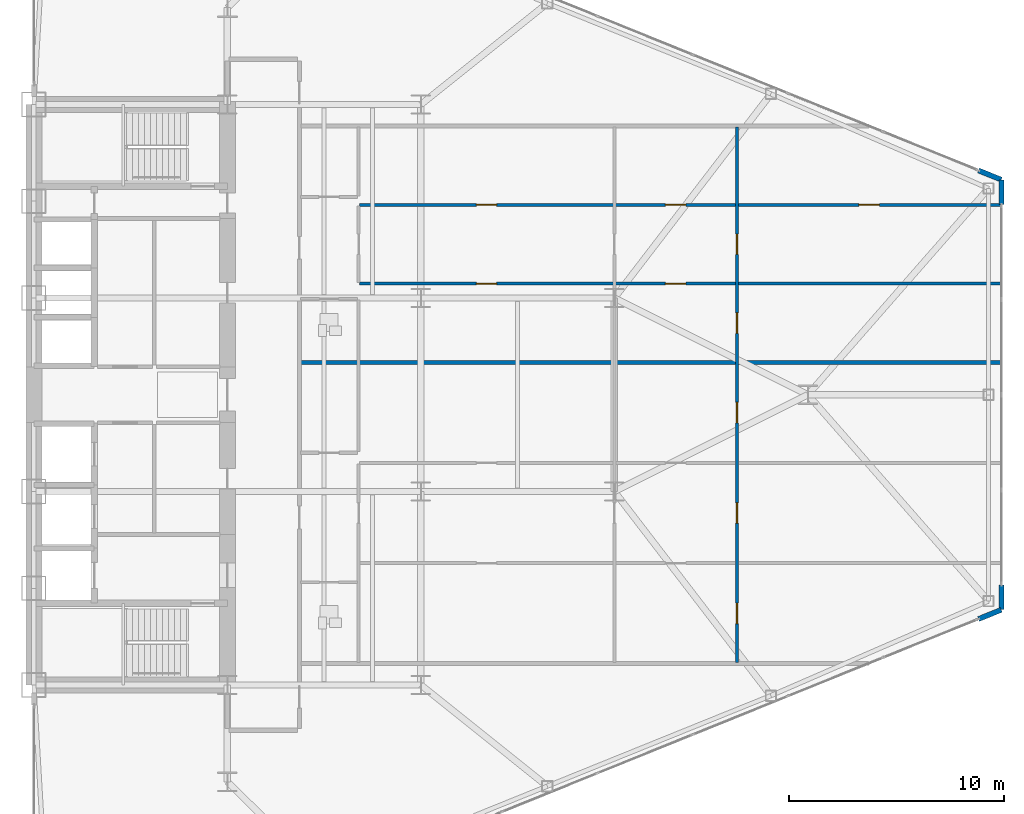
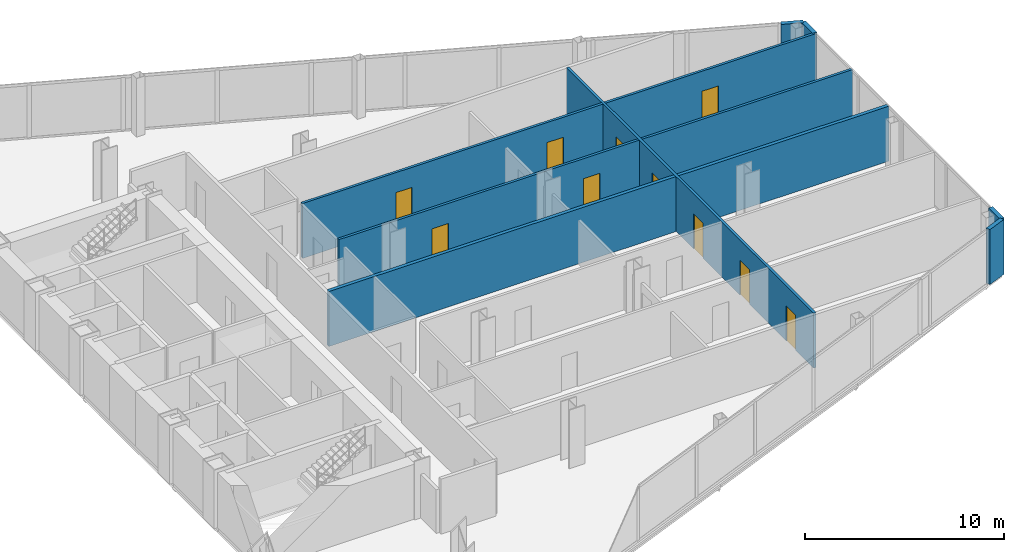
# One storey, part 22 of 25: 10 doors, 8 walls, 10 openings.
"""IFC4 building model written with IfcOpenShell, lengths in metres."""

from ifc_helpers import new_model, si_unit, direction, frame, frame_2d, origin, place, context, subcontext, project, spatial, rectangle, extrude, source, transform, mapped, material, layer, layer_set, type_object, type_shapes, element, fill, save


model = new_model("IFC4")

# Units and contexts
model_context = context("Model", 3, precision=1e-05, world=origin(), true_north=direction((0.0, 1.0)))
body_context = subcontext(model_context, "Body", "Model", "MODEL_VIEW")
ifc_project = project(units=[si_unit("LENGTHUNIT", "METRE"), si_unit("AREAUNIT", "SQUARE_METRE"), si_unit("VOLUMEUNIT", "CUBIC_METRE"), si_unit("PLANEANGLEUNIT", "RADIAN"), si_unit("MASSUNIT", "GRAM", prefix="KILO")], contexts=[model_context])

# Site, building, storey
site_placement = place(None, origin())
site = spatial("IfcSite", under=ifc_project, at=site_placement, CompositionType="ELEMENT")
building_placement = place(site_placement, origin())
building = spatial("IfcBuilding", under=site, at=building_placement, Name="Seokmaru Belvedere", CompositionType="ELEMENT")
storey_placement = place(building_placement, frame((0.0, 0.0, 44.10009765625)))
storey = spatial("IfcBuildingStorey", under=building, at=storey_placement, Name="L11", CompositionType="ELEMENT", Elevation=44.10009765625)

# Wall, openings, doors
ifc_material_1 = material(Name="Fire-Rated Gypsum Shaftwall")
ifc_layer_1 = layer(ifc_material_1, 0.14990234375)
ifc_layer_set_1 = layer_set([ifc_layer_1], Name="Fire-Rated Gypsum Shaftwall")
wall_type_1 = type_object("IfcWallType", Name="Apartment Fire-Acoustic Room Partition 150", PredefinedType="PARTITIONING", material=ifc_layer_set_1)
wall_1_placement = place(storey_placement, frame((42.64990234375, 5.169921875, 0.0), z_axis=(0.0, 0.0, 1.0), x_axis=(1.0, 0.0, 0.0)))
wall_1 = element("IfcWall", 1, at=wall_1_placement, inside=storey, type_object=wall_type_1, Name="L11 Interior Partition 021", PredefinedType="PARTITIONING", context=body_context, shape_type="SweptSolid", body=[
    extrude(rectangle(XDim=29.885009765625, YDim=0.14990234375, at=frame_2d((14.9423828125, 0.0))), origin(), (0.0, 0.0, 1.0), 3.3798828125),
])
opening_1_placement = place(wall_1_placement, frame((5.425048828125, 0.0, 0.0)))
opening_1 = element("IfcOpeningElement", 2, at=opening_1_placement, cuts=wall_1, Name="Opening D05", PredefinedType="OPENING", context=body_context, shape_type="SweptSolid", body=[
    extrude(rectangle(XDim=0.949951171875, YDim=2.14990234375, at=frame_2d((0.47509765625, 1.074951171875))), frame((0.0, 0.0849609375, 0.0), z_axis=(0.0, -1.0, 0.0), x_axis=(1.0, 0.0, 0.0)), (0.0, 0.0, 1.0), 0.169921875),
])
opening_2_placement = place(wall_1_placement, frame((14.22509765625, 0.0, 0.0)))
opening_2 = element("IfcOpeningElement", 3, at=opening_2_placement, cuts=wall_1, Name="Opening D05", PredefinedType="OPENING", context=body_context, shape_type="SweptSolid", body=[
    extrude(rectangle(XDim=0.949951171875, YDim=2.14990234375, at=frame_2d((0.47509765625, 1.074951171875))), frame((0.0, 0.0849609375, 0.0), z_axis=(0.0, -1.0, 0.0), x_axis=(1.0, 0.0, 0.0)), (0.0, 0.0, 1.0), 0.169921875),
])
ifc_material_2 = material(Name="Engineered White Oak Timber", Category="wood")
door_type = type_object("IfcDoorType", Name="Apartment Interior Fire-Rated Oak Door 950x2150", OperationType="NOTDEFINED", PredefinedType="DOOR", material=ifc_material_2)
shared_shape = source(origin(), body_context, "Body", "SweptSolid", [
    extrude(rectangle(XDim=0.949951171875, YDim=2.14990234375, at=frame_2d((0.47509765625, 1.074951171875))), frame((0.0, 0.02490234375, 0.0), z_axis=(0.0, -1.0, 0.0), x_axis=(1.0, 0.0, 0.0)), (0.0, 0.0, 1.0), 0.050048828125),
])
type_shapes(door_type, [shared_shape])
door_1_placement = place(opening_1_placement, origin())
door_1 = element("IfcDoor", 4, at=door_1_placement, inside=storey, type_object=door_type, Name="L11 Interior Door 055", OperationType="SINGLE_SWING_LEFT", OverallHeight=2.14990234375, OverallWidth=0.949951171875, PredefinedType="DOOR", context=body_context, shape_type="MappedRepresentation", body=[
    mapped(shared_shape, transform((0.0, 0.0, 0.0), scale=1.0)),
])
fill(opening_1, door_1)
door_2_placement = place(opening_2_placement, origin())
door_2 = element("IfcDoor", 5, at=door_2_placement, inside=storey, type_object=door_type, Name="L11 Interior Door 057", OperationType="SINGLE_SWING_RIGHT", OverallHeight=2.14990234375, OverallWidth=0.949951171875, PredefinedType="DOOR", context=body_context, shape_type="MappedRepresentation", body=[
    mapped(shared_shape, transform((0.0, 0.0, 0.0), scale=1.0)),
])
fill(opening_2, door_2)

wall_2_placement = place(storey_placement, frame((42.64990234375, 8.830078125, 0.0), z_axis=(0.0, 0.0, 1.0), x_axis=(1.0, 0.0, 0.0)))
wall_2 = element("IfcWall", 6, at=wall_2_placement, inside=storey, type_object=wall_type_1, Name="L11 Interior Partition 023", PredefinedType="PARTITIONING", context=body_context, shape_type="SweptSolid", body=[
    extrude(rectangle(XDim=29.885009765625, YDim=0.14990234375, at=frame_2d((14.9423828125, 0.0))), origin(), (0.0, 0.0, 1.0), 3.3798828125),
])
opening_3_placement = place(wall_2_placement, frame((5.425048828125, 0.0, 0.0)))
opening_3 = element("IfcOpeningElement", 7, at=opening_3_placement, cuts=wall_2, Name="Opening D05", PredefinedType="OPENING", context=body_context, shape_type="SweptSolid", body=[
    extrude(rectangle(XDim=0.949951171875, YDim=2.14990234375, at=frame_2d((0.47509765625, 1.074951171875))), frame((0.0, 0.0849609375, 0.0), z_axis=(0.0, -1.0, 0.0), x_axis=(1.0, 0.0, 0.0)), (0.0, 0.0, 1.0), 0.169921875),
])
opening_4_placement = place(wall_2_placement, frame((23.22509765625, 0.0, 0.0)))
opening_4 = element("IfcOpeningElement", 8, at=opening_4_placement, cuts=wall_2, Name="Opening D05", PredefinedType="OPENING", context=body_context, shape_type="SweptSolid", body=[
    extrude(rectangle(XDim=0.949951171875, YDim=2.14990234375, at=frame_2d((0.47509765625, 1.074951171875))), frame((0.0, 0.0849609375, 0.0), z_axis=(0.0, -1.0, 0.0), x_axis=(1.0, 0.0, 0.0)), (0.0, 0.0, 1.0), 0.169921875),
])
opening_5_placement = place(wall_2_placement, frame((14.22509765625, 0.0, 0.0)))
opening_5 = element("IfcOpeningElement", 9, at=opening_5_placement, cuts=wall_2, Name="Opening D05", PredefinedType="OPENING", context=body_context, shape_type="SweptSolid", body=[
    extrude(rectangle(XDim=0.949951171875, YDim=2.14990234375, at=frame_2d((0.47509765625, 1.074951171875))), frame((0.0, 0.0849609375, 0.0), z_axis=(0.0, -1.0, 0.0), x_axis=(1.0, 0.0, 0.0)), (0.0, 0.0, 1.0), 0.169921875),
])
door_3_placement = place(opening_3_placement, origin())
door_3 = element("IfcDoor", 10, at=door_3_placement, inside=storey, type_object=door_type, Name="L11 Interior Door 056", OperationType="SINGLE_SWING_RIGHT", OverallHeight=2.14990234375, OverallWidth=0.949951171875, PredefinedType="DOOR", context=body_context, shape_type="MappedRepresentation", body=[
    mapped(shared_shape, transform((0.0, 0.0, 0.0), scale=1.0)),
])
fill(opening_3, door_3)
door_4_placement = place(opening_4_placement, origin())
door_4 = element("IfcDoor", 11, at=door_4_placement, inside=storey, type_object=door_type, Name="L11 Interior Door 060", OperationType="SINGLE_SWING_RIGHT", OverallHeight=2.14990234375, OverallWidth=0.949951171875, PredefinedType="DOOR", context=body_context, shape_type="MappedRepresentation", body=[
    mapped(shared_shape, transform((0.0, 0.0, 0.0), scale=1.0)),
])
fill(opening_4, door_4)
door_5_placement = place(opening_5_placement, origin())
door_5 = element("IfcDoor", 12, at=door_5_placement, inside=storey, type_object=door_type, Name="L11 Interior Door 061", OperationType="SINGLE_SWING_RIGHT", OverallHeight=2.14990234375, OverallWidth=0.949951171875, PredefinedType="DOOR", context=body_context, shape_type="MappedRepresentation", body=[
    mapped(shared_shape, transform((0.0, 0.0, 0.0), scale=1.0)),
])
fill(opening_5, door_5)

wall_3_placement = place(storey_placement, frame((60.199951171875, -12.449951171875, 0.0), z_axis=(0.0, 0.0, 1.0), x_axis=(0.0, 1.0, 0.0)))
wall_3 = element("IfcWall", 13, at=wall_3_placement, inside=storey, type_object=wall_type_1, Name="L11 Interior Partition 051", PredefinedType="PARTITIONING", context=body_context, shape_type="SweptSolid", body=[
    extrude(rectangle(XDim=24.89990234375, YDim=0.14990234375, at=frame_2d((12.449951171875, 0.0))), origin(), (0.0, 0.0, 1.0), 3.3798828125),
])
opening_6_placement = place(wall_3_placement, frame((1.808349609375, 0.0, 0.0)))
opening_6 = element("IfcOpeningElement", 14, at=opening_6_placement, cuts=wall_3, Name="Opening D05", PredefinedType="OPENING", context=body_context, shape_type="SweptSolid", body=[
    extrude(rectangle(XDim=0.949951171875, YDim=2.14990234375, at=frame_2d((0.47509765625, 1.074951171875))), frame((0.0, 0.0849609375, 0.0), z_axis=(0.0, -1.0, 0.0), x_axis=(1.0, 0.0, 0.0)), (0.0, 0.0, 1.0), 0.169921875),
])
opening_7_placement = place(wall_3_placement, frame((6.47509765625, 0.0, 0.0)))
opening_7 = element("IfcOpeningElement", 15, at=opening_7_placement, cuts=wall_3, Name="Opening D05", PredefinedType="OPENING", context=body_context, shape_type="SweptSolid", body=[
    extrude(rectangle(XDim=0.949951171875, YDim=2.14990234375, at=frame_2d((0.47509765625, 1.074951171875))), frame((0.0, 0.0849609375, 0.0), z_axis=(0.0, -1.0, 0.0), x_axis=(1.0, 0.0, 0.0)), (0.0, 0.0, 1.0), 0.169921875),
])
opening_8_placement = place(wall_3_placement, frame((11.1416015625, 0.0, 0.0)))
opening_8 = element("IfcOpeningElement", 16, at=opening_8_placement, cuts=wall_3, Name="Opening D05", PredefinedType="OPENING", context=body_context, shape_type="SweptSolid", body=[
    extrude(rectangle(XDim=0.949951171875, YDim=2.14990234375, at=frame_2d((0.47509765625, 1.074951171875))), frame((0.0, 0.0849609375, 0.0), z_axis=(0.0, -1.0, 0.0), x_axis=(1.0, 0.0, 0.0)), (0.0, 0.0, 1.0), 0.169921875),
])
opening_9_placement = place(wall_3_placement, frame((15.308349609375, 0.0, 0.0)))
opening_9 = element("IfcOpeningElement", 17, at=opening_9_placement, cuts=wall_3, Name="Opening D05", PredefinedType="OPENING", context=body_context, shape_type="SweptSolid", body=[
    extrude(rectangle(XDim=0.949951171875, YDim=2.14990234375, at=frame_2d((0.47509765625, 1.074951171875))), frame((0.0, 0.0849609375, 0.0), z_axis=(0.0, -1.0, 0.0), x_axis=(1.0, 0.0, 0.0)), (0.0, 0.0, 1.0), 0.169921875),
])
opening_10_placement = place(wall_3_placement, frame((18.97509765625, 0.0, 0.0)))
opening_10 = element("IfcOpeningElement", 18, at=opening_10_placement, cuts=wall_3, Name="Opening D05", PredefinedType="OPENING", context=body_context, shape_type="SweptSolid", body=[
    extrude(rectangle(XDim=0.949951171875, YDim=2.14990234375, at=frame_2d((0.47509765625, 1.074951171875))), frame((0.0, 0.0849609375, 0.0), z_axis=(0.0, -1.0, 0.0), x_axis=(1.0, 0.0, 0.0)), (0.0, 0.0, 1.0), 0.169921875),
])
door_6_placement = place(opening_6_placement, origin())
door_6 = element("IfcDoor", 19, at=door_6_placement, inside=storey, type_object=door_type, Name="L11 Interior Door 046", OperationType="SINGLE_SWING_LEFT", OverallHeight=2.14990234375, OverallWidth=0.949951171875, PredefinedType="DOOR", context=body_context, shape_type="MappedRepresentation", body=[
    mapped(shared_shape, transform((0.0, 0.0, 0.0), scale=1.0)),
])
fill(opening_6, door_6)
door_7_placement = place(opening_7_placement, origin())
door_7 = element("IfcDoor", 20, at=door_7_placement, inside=storey, type_object=door_type, Name="L11 Interior Door 047", OperationType="SINGLE_SWING_LEFT", OverallHeight=2.14990234375, OverallWidth=0.949951171875, PredefinedType="DOOR", context=body_context, shape_type="MappedRepresentation", body=[
    mapped(shared_shape, transform((0.0, 0.0, 0.0), scale=1.0)),
])
fill(opening_7, door_7)
door_8_placement = place(opening_8_placement, origin())
door_8 = element("IfcDoor", 21, at=door_8_placement, inside=storey, type_object=door_type, Name="L11 Interior Door 049", OperationType="SINGLE_SWING_LEFT", OverallHeight=2.14990234375, OverallWidth=0.949951171875, PredefinedType="DOOR", context=body_context, shape_type="MappedRepresentation", body=[
    mapped(shared_shape, transform((0.0, 0.0, 0.0), scale=1.0)),
])
fill(opening_8, door_8)
door_9_placement = place(opening_9_placement, origin())
door_9 = element("IfcDoor", 22, at=door_9_placement, inside=storey, type_object=door_type, Name="L11 Interior Door 058", OperationType="SINGLE_SWING_LEFT", OverallHeight=2.14990234375, OverallWidth=0.949951171875, PredefinedType="DOOR", context=body_context, shape_type="MappedRepresentation", body=[
    mapped(shared_shape, transform((0.0, 0.0, 0.0), scale=1.0)),
])
fill(opening_9, door_9)
door_10_placement = place(opening_10_placement, origin())
door_10 = element("IfcDoor", 23, at=door_10_placement, inside=storey, type_object=door_type, Name="L11 Interior Door 059", OperationType="SINGLE_SWING_LEFT", OverallHeight=2.14990234375, OverallWidth=0.949951171875, PredefinedType="DOOR", context=body_context, shape_type="MappedRepresentation", body=[
    mapped(shared_shape, transform((0.0, 0.0, 0.0), scale=1.0)),
])
fill(opening_10, door_10)

# Walls
ifc_layer_2 = layer(ifc_material_1, 0.199951171875)
ifc_layer_set_2 = layer_set([ifc_layer_2], Name="Fire-Rated Gypsum Shaftwall")
wall_type_2 = type_object("IfcWallType", Name="Inter-Tenancy Fire Compartment Partition 200", PredefinedType="PARTITIONING", material=ifc_layer_set_2)
wall_4_placement = place(storey_placement, frame((39.929931640625, 1.5, 0.0), z_axis=(0.0, 0.0, 1.0), x_axis=(1.0, 0.0, 0.0)))
element("IfcWall", 24, at=wall_4_placement, inside=storey, type_object=wall_type_2, Name="L11 Interior Partition 019", PredefinedType="PARTITIONING", context=body_context, shape_type="SweptSolid", body=[
    extrude(rectangle(XDim=32.574951171875, YDim=0.199951171875, at=frame_2d((16.28759765625, 0.0))), origin(), (0.0, 0.0, 1.0), 3.3798828125),
])
ifc_material_3 = material(Name="Anodised Bronze Aluminium", Category="aluminium")
ifc_layer_3 = layer(ifc_material_3, 0.239990234375)
ifc_layer_set_3 = layer_set([ifc_layer_3], Name="Anodised Bronze Aluminium")
wall_type_3 = type_object("IfcWallType", Name="Tower Corner Spandrel Closure Wall 240", PredefinedType="SOLIDWALL", material=ifc_layer_set_3)
for number, where, z_axis, x_axis, name in (
    (25, (71.43408203125, -10.431396484375, 0.0), (0.0, 0.0, 1.0), (0.927007103665, 0.375043770452, 0.0), "L11 E Corner Closure Pier 1B"),
    (26, (72.5, -9.989990234375, 0.0), (0.0, 0.0, 1.0), (0.0, 1.0, 0.0), "L11 E Corner Closure Pier 2A"),
    (27, (72.5, 8.85009765625, 0.0), (0.0, 0.0, 1.0), (0.0, 1.0, 0.0), "L11 E Corner Closure Pier 2B"),
    (28, (72.49072265625, 10.00390625, 0.0), (0.0, 0.0, 1.0), (-0.927007103665, 0.375043770452, 0.0), "L11 E Corner Closure Pier 3A"),
):
    element("IfcWall", number, at=place(storey_placement, frame(where, z_axis=z_axis, x_axis=x_axis)), inside=storey, type_object=wall_type_3, Name=name, PredefinedType="SOLIDWALL", context=body_context, shape_type="SweptSolid", body=[
        extrude(rectangle(XDim=1.139892578125, YDim=0.239990234375, at=frame_2d((0.56982421875, 0.0))), origin(), (0.0, 0.0, 1.0), 3.3798828125),
    ])

save(model, "model.ifc")
